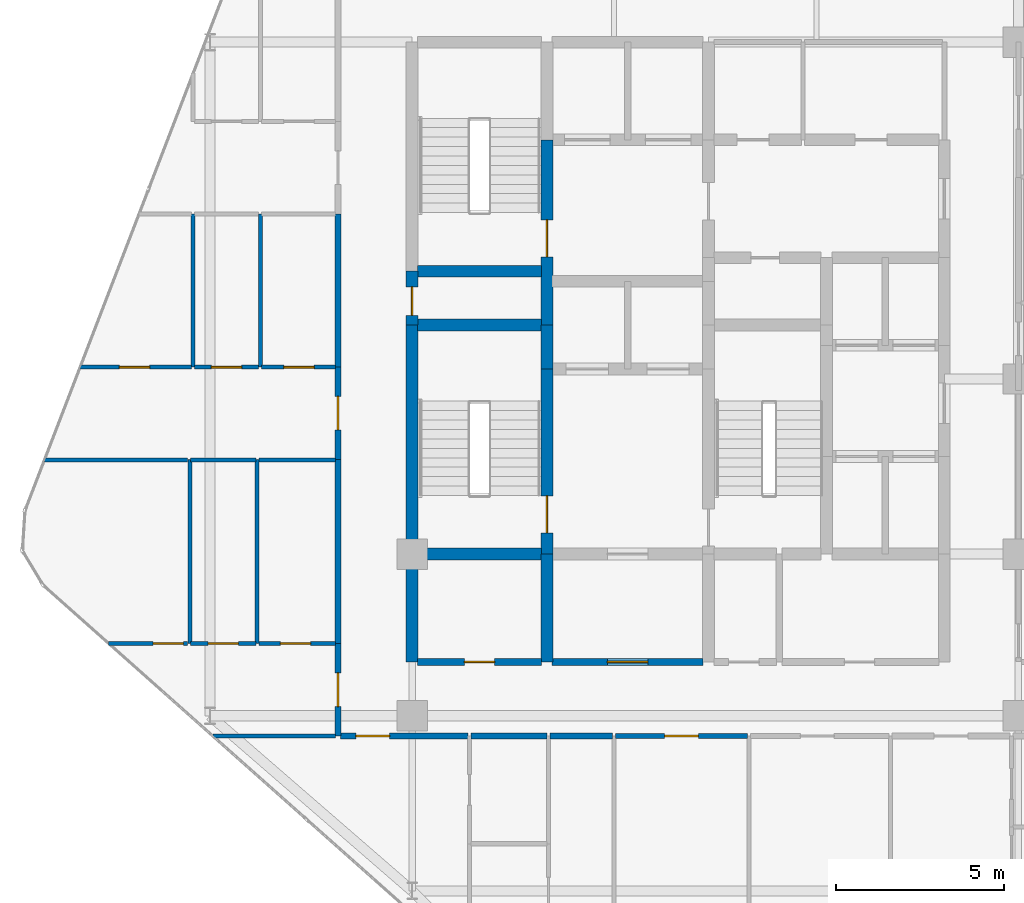
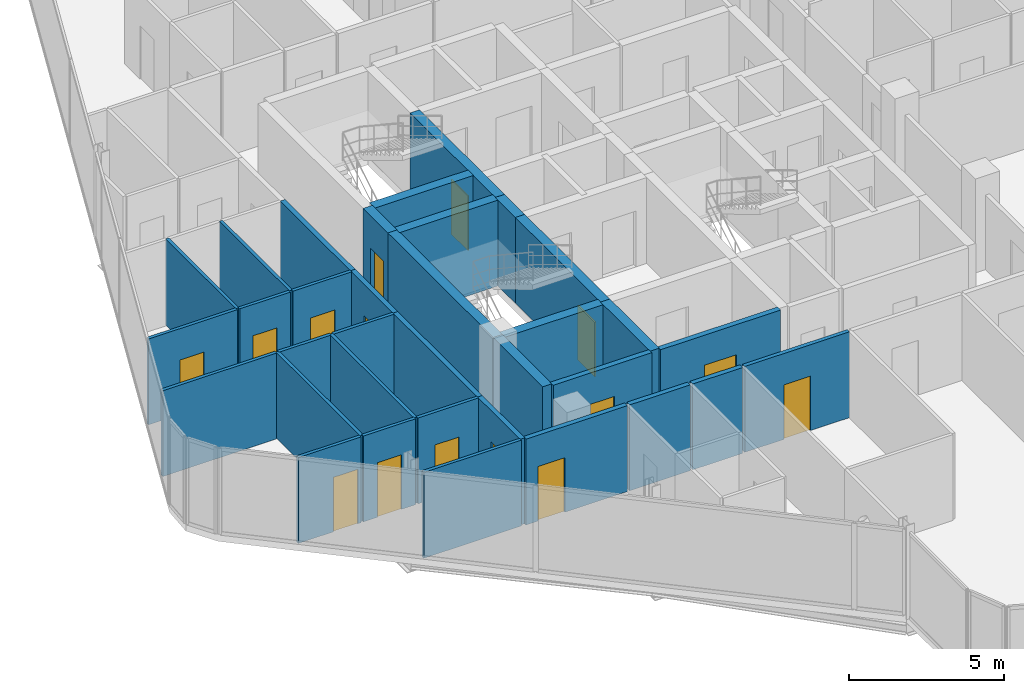
# One storey, part 25 of 32: 34 walls, 15 doors, 15 openings.
"""IFC4 building model written with IfcOpenShell, lengths in metres."""

from ifc_helpers import new_model, si_unit, direction, frame, frame_2d, origin, place, context, subcontext, project, spatial, rectangle, extrude, material, layer, layer_set, type_object, element, fill, save


model = new_model("IFC4")

# Units and contexts
model_context = context("Model", 3, precision=1e-05, world=origin(), true_north=direction((0.0, 1.0)))
body_context = subcontext(model_context, "Body", "Model", "MODEL_VIEW")
ifc_project = project(units=[si_unit("LENGTHUNIT", "METRE"), si_unit("AREAUNIT", "SQUARE_METRE"), si_unit("VOLUMEUNIT", "CUBIC_METRE"), si_unit("PLANEANGLEUNIT", "RADIAN"), si_unit("MASSUNIT", "GRAM", prefix="KILO")], contexts=[model_context])

# Site, building, storey
site_placement = place(None, origin())
site = spatial("IfcSite", under=ifc_project, at=site_placement, CompositionType="ELEMENT")
building_placement = place(site_placement, origin())
building = spatial("IfcBuilding", under=site, at=building_placement, Name="Keshet Zoharim Tower", CompositionType="ELEMENT")
storey_placement = place(building_placement, frame((0.0, 0.0, 152.0)))
storey = spatial("IfcBuildingStorey", under=building, at=storey_placement, Name="L37", CompositionType="ELEMENT", Elevation=152.0)

# Wall, opening, door
ifc_material_1 = material(Name="Gypsum Plasterboard", Category="gypsum")
ifc_layer_1 = layer(ifc_material_1, 0.14990234375)
ifc_layer_set_1 = layer_set([ifc_layer_1], Name="Gypsum Plasterboard")
wall_type_1 = type_object("IfcWallType", Name="WL-CLIN-150", PredefinedType="STANDARD", material=ifc_layer_set_1)
wall_1_placement = place(storey_placement, frame((21.044921875, 17.300048828125, 0.0), z_axis=(0.0, 0.0, 1.0), x_axis=(1.0, 0.0, 0.0)))
wall_1 = element("IfcWall", 1, at=wall_1_placement, inside=storey, type_object=wall_type_1, Name="L37 Interior Wall 133", PredefinedType="STANDARD", context=body_context, shape_type="SweptSolid", body=[
    extrude(rectangle(XDim=3.91015625, YDim=0.14990234375, at=frame_2d((1.955078125, 0.0))), origin(), (0.0, 0.0, 1.0), 3.385009765625),
])
opening_1_placement = place(wall_1_placement, frame((1.455078125, 0.0, 0.0)))
opening_1 = element("IfcOpeningElement", 2, at=opening_1_placement, cuts=wall_1, Name="Opening D-F310", PredefinedType="OPENING", context=body_context, shape_type="SweptSolid", body=[
    extrude(rectangle(XDim=1.0, YDim=2.14990234375, at=frame_2d((0.5, 1.074951171875))), frame((0.0, 0.0849609375, 0.0), z_axis=(0.0, -1.0, 0.0), x_axis=(1.0, 0.0, 0.0)), (0.0, 0.0, 1.0), 0.169921875),
])
ifc_material_2 = material(Name="Hardwood Timber", Category="wood")
door_type_1 = type_object("IfcDoorType", Name="DR-FD30-100", OperationType="NOTDEFINED", PredefinedType="DOOR", material=ifc_material_2)
door_1_placement = place(opening_1_placement, origin())
door_1 = element("IfcDoor", 3, at=door_1_placement, inside=storey, type_object=door_type_1, Name="L37 Shared Floor Laundry Room Door", OperationType="SINGLE_SWING_LEFT", OverallHeight=2.14990234375, OverallWidth=1.0, PredefinedType="DOOR", context=body_context, shape_type="SweptSolid", body=[
    extrude(rectangle(XDim=1.0, YDim=2.14990234375, at=frame_2d((0.5, 1.074951171875))), frame((0.0, 0.02490234375, 0.0), z_axis=(0.0, -1.0, 0.0), x_axis=(1.0, 0.0, 0.0)), (0.0, 0.0, 1.0), 0.050048828125),
])
fill(opening_1, door_1)

# Walls
ifc_material_3 = material(Name="Concrete C60/75", Category="concrete")
ifc_layer_2 = layer(ifc_material_3, 0.35009765625)
ifc_layer_set_2 = layer_set([ifc_layer_2], Name="Concrete C60/75")
wall_type_2 = type_object("IfcWallType", Name="WL-CORE-350", PredefinedType="SHEAR", material=ifc_layer_set_2)
wall_2_placement = place(storey_placement, frame((15.0, 19.5, 0.0), z_axis=(0.0, 0.0, 1.0), x_axis=(0.0, 1.0, 0.0)))
element("IfcWall", 4, at=wall_2_placement, inside=storey, type_object=wall_type_2, Name="L37 Core Shear Wall 015", PredefinedType="SHEAR", context=body_context, shape_type="SweptSolid", body=[
    extrude(rectangle(XDim=3.199951171875, YDim=0.35009765625, at=frame_2d((1.60009765625, 0.0))), origin(), (0.0, 0.0, 1.0), 3.385009765625),
])
wall_3_placement = place(storey_placement, frame((15.0, 22.699951171875, 0.0), z_axis=(0.0, 0.0, 1.0), x_axis=(0.0, 1.0, 0.0)))
element("IfcWall", 5, at=wall_3_placement, inside=storey, type_object=wall_type_2, Name="L37 Core Shear Wall 016", PredefinedType="SHEAR", context=body_context, shape_type="SweptSolid", body=[
    extrude(rectangle(XDim=6.800048828125, YDim=0.35009765625, at=frame_2d((3.39990234375, 0.0))), origin(), (0.0, 0.0, 1.0), 3.385009765625),
])

# Wall, opening, door
wall_4_placement = place(storey_placement, frame((15.0, 29.5, 0.0), z_axis=(0.0, 0.0, 1.0), x_axis=(0.0, 1.0, 0.0)))
wall_4 = element("IfcWall", 6, at=wall_4_placement, inside=storey, type_object=wall_type_2, Name="L37 Core Shear Wall 017", PredefinedType="SHEAR", context=body_context, shape_type="SweptSolid", body=[
    extrude(rectangle(XDim=1.60009765625, YDim=0.35009765625, at=frame_2d((0.800048828125, 0.0))), origin(), (0.0, 0.0, 1.0), 3.385009765625),
])
opening_2_placement = place(wall_4_placement, frame((0.287109375, 0.0, 0.0)))
opening_2 = element("IfcOpeningElement", 7, at=opening_2_placement, cuts=wall_4, Name="Opening D-RS85", PredefinedType="OPENING", context=body_context, shape_type="SweptSolid", body=[
    extrude(rectangle(XDim=0.85009765625, YDim=2.10009765625, at=frame_2d((0.425048828125, 1.050048828125))), frame((0.0, 0.18505859375, 0.0), z_axis=(0.0, -1.0, 0.0), x_axis=(1.0, 0.0, 0.0)), (0.0, 0.0, 1.0), 0.3701171875),
])
door_type_2 = type_object("IfcDoorType", Name="DR-RIS-085", OperationType="NOTDEFINED", PredefinedType="DOOR", material=ifc_material_2)
door_2_placement = place(opening_2_placement, origin())
door_2 = element("IfcDoor", 8, at=door_2_placement, inside=storey, type_object=door_type_2, Name="L37 Electrical Riser Access Cupboard Door", OperationType="SINGLE_SWING_RIGHT", OverallHeight=2.10009765625, OverallWidth=0.85009765625, PredefinedType="DOOR", context=body_context, shape_type="SweptSolid", body=[
    extrude(rectangle(XDim=0.85009765625, YDim=2.10009765625, at=frame_2d((0.425048828125, 1.050048828125))), frame((0.0, 0.02490234375, 0.0), z_axis=(0.0, -1.0, 0.0), x_axis=(1.0, 0.0, 0.0)), (0.0, 0.0, 1.0), 0.050048828125),
])
fill(opening_2, door_2)

# Wall
wall_5_placement = place(storey_placement, frame((19.0, 19.5, 0.0), z_axis=(0.0, 0.0, 1.0), x_axis=(0.0, 1.0, 0.0)))
element("IfcWall", 9, at=wall_5_placement, inside=storey, type_object=wall_type_2, Name="L37 Core Shear Wall 023", PredefinedType="SHEAR", context=body_context, shape_type="SweptSolid", body=[
    extrude(rectangle(XDim=3.199951171875, YDim=0.35009765625, at=frame_2d((1.60009765625, 0.0))), origin(), (0.0, 0.0, 1.0), 3.385009765625),
])

# Wall, opening, door
wall_6_placement = place(storey_placement, frame((19.0, 22.699951171875, 0.0), z_axis=(0.0, 0.0, 1.0), x_axis=(0.0, 1.0, 0.0)))
wall_6 = element("IfcWall", 10, at=wall_6_placement, inside=storey, type_object=wall_type_2, Name="L37 Core Shear Wall 024", PredefinedType="SHEAR", context=body_context, shape_type="SweptSolid", body=[
    extrude(rectangle(XDim=5.5, YDim=0.35009765625, at=frame_2d((2.75, 0.0))), origin(), (0.0, 0.0, 1.0), 3.385009765625),
])
opening_3_placement = place(wall_6_placement, frame((0.631103515625, 0.0, 0.0)))
opening_3 = element("IfcOpeningElement", 11, at=opening_3_placement, cuts=wall_6, Name="Opening D-F611", PredefinedType="OPENING", context=body_context, shape_type="SweptSolid", body=[
    extrude(rectangle(XDim=1.10009765625, YDim=2.14990234375, at=frame_2d((0.550048828125, 1.074951171875))), frame((0.0, 0.18505859375, 0.0), z_axis=(0.0, -1.0, 0.0), x_axis=(1.0, 0.0, 0.0)), (0.0, 0.0, 1.0), 0.3701171875),
])
door_type_3 = type_object("IfcDoorType", Name="DR-FD60-110", OperationType="NOTDEFINED", PredefinedType="DOOR", material=ifc_material_2)
door_3_placement = place(opening_3_placement, origin())
door_3 = element("IfcDoor", 12, at=door_3_placement, inside=storey, type_object=door_type_3, Name="L37 Exit Stair ST-01 Fire Door", OperationType="SINGLE_SWING_RIGHT", OverallHeight=2.14990234375, OverallWidth=1.10009765625, PredefinedType="DOOR", context=body_context, shape_type="SweptSolid", body=[
    extrude(rectangle(XDim=1.10009765625, YDim=2.14990234375, at=frame_2d((0.550048828125, 1.074951171875))), frame((0.0, 0.02490234375, 0.0), z_axis=(0.0, -1.0, 0.0), x_axis=(1.0, 0.0, 0.0)), (0.0, 0.0, 1.0), 0.050048828125),
])
fill(opening_3, door_3)

# Wall
wall_7_placement = place(storey_placement, frame((19.0, 28.199951171875, 0.0), z_axis=(0.0, 0.0, 1.0), x_axis=(0.0, 1.0, 0.0)))
element("IfcWall", 13, at=wall_7_placement, inside=storey, type_object=wall_type_2, Name="L37 Core Shear Wall 025", PredefinedType="SHEAR", context=body_context, shape_type="SweptSolid", body=[
    extrude(rectangle(XDim=1.300048828125, YDim=0.35009765625, at=frame_2d((0.64990234375, 0.0))), origin(), (0.0, 0.0, 1.0), 3.385009765625),
])

# Wall, opening, door
wall_8_placement = place(storey_placement, frame((19.0, 29.5, 0.0), z_axis=(0.0, 0.0, 1.0), x_axis=(0.0, 1.0, 0.0)))
wall_8 = element("IfcWall", 14, at=wall_8_placement, inside=storey, type_object=wall_type_2, Name="L37 Core Shear Wall 026", PredefinedType="SHEAR", context=body_context, shape_type="SweptSolid", body=[
    extrude(rectangle(XDim=5.5, YDim=0.35009765625, at=frame_2d((2.75, 0.0))), origin(), (0.0, 0.0, 1.0), 3.385009765625),
])
opening_4_placement = place(wall_8_placement, frame((2.02490234375, 0.0, 0.0)))
opening_4 = element("IfcOpeningElement", 15, at=opening_4_placement, cuts=wall_8, Name="Opening D-F611", PredefinedType="OPENING", context=body_context, shape_type="SweptSolid", body=[
    extrude(rectangle(XDim=1.10009765625, YDim=2.14990234375, at=frame_2d((0.550048828125, 1.074951171875))), frame((0.0, 0.18505859375, 0.0), z_axis=(0.0, -1.0, 0.0), x_axis=(1.0, 0.0, 0.0)), (0.0, 0.0, 1.0), 0.3701171875),
])
door_4_placement = place(opening_4_placement, origin())
door_4 = element("IfcDoor", 16, at=door_4_placement, inside=storey, type_object=door_type_3, Name="L37 Exit Stair ST-02 Fire Door", OperationType="SINGLE_SWING_LEFT", OverallHeight=2.14990234375, OverallWidth=1.10009765625, PredefinedType="DOOR", context=body_context, shape_type="SweptSolid", body=[
    extrude(rectangle(XDim=1.10009765625, YDim=2.14990234375, at=frame_2d((0.550048828125, 1.074951171875))), frame((0.0, 0.02490234375, 0.0), z_axis=(0.0, -1.0, 0.0), x_axis=(1.0, 0.0, 0.0)), (0.0, 0.0, 1.0), 0.050048828125),
])
fill(opening_4, door_4)

# Walls
for number, where, z_axis, x_axis, name in (
    (17, (15.159912109375, 22.699951171875, 0.0), (0.0, 0.0, 1.0), (1.0, 0.0, 0.0), "L37 Core Shear Wall 152"),
    (18, (15.159912109375, 29.5, 0.0), (0.0, 0.0, 1.0), (1.0, 0.0, 0.0), "L37 Core Shear Wall 167"),
    (19, (15.159912109375, 31.10009765625, 0.0), (0.0, 0.0, 1.0), (1.0, 0.0, 0.0), "L37 Core Shear Wall 173"),
):
    element("IfcWall", number, at=place(storey_placement, frame(where, z_axis=z_axis, x_axis=x_axis)), inside=storey, type_object=wall_type_2, Name=name, PredefinedType="SHEAR", context=body_context, shape_type="SweptSolid", body=[
        extrude(rectangle(XDim=3.68017578125, YDim=0.35009765625, at=frame_2d((1.840087890625, 0.0))), origin(), (0.0, 0.0, 1.0), 3.385009765625),
    ])

# Wall, opening, door
ifc_layer_3 = layer(ifc_material_1, 0.179931640625)
ifc_layer_set_3 = layer_set([ifc_layer_3], Name="Gypsum Plasterboard")
wall_type_3 = type_object("IfcWallType", Name="WL-CORR-180", PredefinedType="STANDARD", material=ifc_layer_set_3)
wall_9_placement = place(storey_placement, frame((12.800048828125, 17.300048828125, 0.0), z_axis=(0.0, 0.0, 1.0), x_axis=(0.0, 1.0, 0.0)))
wall_9 = element("IfcWall", 20, at=wall_9_placement, inside=storey, type_object=wall_type_3, Name="L37 Interior Wall 007", PredefinedType="STANDARD", context=body_context, shape_type="SweptSolid", body=[
    extrude(rectangle(XDim=2.75, YDim=0.179931640625, at=frame_2d((1.375, 0.0))), origin(), (0.0, 0.0, 1.0), 3.385009765625),
])
opening_5_placement = place(wall_9_placement, frame((0.875, 0.0, 0.0)))
opening_5 = element("IfcOpeningElement", 21, at=opening_5_placement, cuts=wall_9, Name="Opening D-F310", PredefinedType="OPENING", context=body_context, shape_type="SweptSolid", body=[
    extrude(rectangle(XDim=1.0, YDim=2.14990234375, at=frame_2d((0.5, 1.074951171875))), frame((0.0, 0.10009765625, 0.0), z_axis=(0.0, -1.0, 0.0), x_axis=(1.0, 0.0, 0.0)), (0.0, 0.0, 1.0), 0.199951171875),
])
door_5_placement = place(opening_5_placement, origin())
door_5 = element("IfcDoor", 22, at=door_5_placement, inside=storey, type_object=door_type_1, Name="Apartment 3710 Entrance Door", OperationType="SINGLE_SWING_LEFT", OverallHeight=2.14990234375, OverallWidth=1.0, PredefinedType="DOOR", context=body_context, shape_type="SweptSolid", body=[
    extrude(rectangle(XDim=1.0, YDim=2.14990234375, at=frame_2d((0.5, 1.074951171875))), frame((0.0, 0.02490234375, 0.0), z_axis=(0.0, -1.0, 0.0), x_axis=(1.0, 0.0, 0.0)), (0.0, 0.0, 1.0), 0.050048828125),
])
fill(opening_5, door_5)

# Wall
wall_10_placement = place(storey_placement, frame((12.800048828125, 20.050048828125, 0.0), z_axis=(0.0, 0.0, 1.0), x_axis=(0.0, 1.0, 0.0)))
element("IfcWall", 23, at=wall_10_placement, inside=storey, type_object=wall_type_3, Name="L37 Interior Wall 008", PredefinedType="STANDARD", context=body_context, shape_type="SweptSolid", body=[
    extrude(rectangle(XDim=5.4599609375, YDim=0.179931640625, at=frame_2d((2.72998046875, 0.0))), origin(), (0.0, 0.0, 1.0), 3.385009765625),
])

# Wall, opening, door
wall_11_placement = place(storey_placement, frame((12.800048828125, 25.510009765625, 0.0), z_axis=(0.0, 0.0, 1.0), x_axis=(0.0, 1.0, 0.0)))
wall_11 = element("IfcWall", 24, at=wall_11_placement, inside=storey, type_object=wall_type_3, Name="L37 Interior Wall 009", PredefinedType="STANDARD", context=body_context, shape_type="SweptSolid", body=[
    extrude(rectangle(XDim=2.75, YDim=0.179931640625, at=frame_2d((1.375, 0.0))), origin(), (0.0, 0.0, 1.0), 3.385009765625),
])
opening_6_placement = place(wall_11_placement, frame((0.875, 0.0, 0.0)))
opening_6 = element("IfcOpeningElement", 25, at=opening_6_placement, cuts=wall_11, Name="Opening D-F310", PredefinedType="OPENING", context=body_context, shape_type="SweptSolid", body=[
    extrude(rectangle(XDim=1.0, YDim=2.14990234375, at=frame_2d((0.5, 1.074951171875))), frame((0.0, 0.10009765625, 0.0), z_axis=(0.0, -1.0, 0.0), x_axis=(1.0, 0.0, 0.0)), (0.0, 0.0, 1.0), 0.199951171875),
])
door_6_placement = place(opening_6_placement, origin())
door_6 = element("IfcDoor", 26, at=door_6_placement, inside=storey, type_object=door_type_1, Name="Apartment 3711 Entrance Door", OperationType="SINGLE_SWING_RIGHT", OverallHeight=2.14990234375, OverallWidth=1.0, PredefinedType="DOOR", context=body_context, shape_type="SweptSolid", body=[
    extrude(rectangle(XDim=1.0, YDim=2.14990234375, at=frame_2d((0.5, 1.074951171875))), frame((0.0, 0.02490234375, 0.0), z_axis=(0.0, -1.0, 0.0), x_axis=(1.0, 0.0, 0.0)), (0.0, 0.0, 1.0), 0.050048828125),
])
fill(opening_6, door_6)

# Wall
wall_12_placement = place(storey_placement, frame((12.800048828125, 28.260009765625, 0.0), z_axis=(0.0, 0.0, 1.0), x_axis=(0.0, 1.0, 0.0)))
element("IfcWall", 27, at=wall_12_placement, inside=storey, type_object=wall_type_3, Name="L37 Interior Wall 010", PredefinedType="STANDARD", context=body_context, shape_type="SweptSolid", body=[
    extrude(rectangle(XDim=4.5400390625, YDim=0.179931640625, at=frame_2d((2.27001953125, 0.0))), origin(), (0.0, 0.0, 1.0), 3.385009765625),
])

# Wall, opening, door
wall_13_placement = place(storey_placement, frame((12.875, 17.300048828125, 0.0), z_axis=(0.0, 0.0, 1.0), x_axis=(1.0, 0.0, 0.0)))
wall_13 = element("IfcWall", 28, at=wall_13_placement, inside=storey, type_object=wall_type_3, Name="L37 Interior Wall 130", PredefinedType="STANDARD", context=body_context, shape_type="SweptSolid", body=[
    extrude(rectangle(XDim=3.780029296875, YDim=0.179931640625, at=frame_2d((1.89013671875, 0.0))), origin(), (0.0, 0.0, 1.0), 3.385009765625),
])
opening_7_placement = place(wall_13_placement, frame((0.4580078125, 0.0, 0.0)))
opening_7 = element("IfcOpeningElement", 29, at=opening_7_placement, cuts=wall_13, Name="Opening D-F310", PredefinedType="OPENING", context=body_context, shape_type="SweptSolid", body=[
    extrude(rectangle(XDim=1.0, YDim=2.14990234375, at=frame_2d((0.5, 1.074951171875))), frame((0.0, 0.10009765625, 0.0), z_axis=(0.0, -1.0, 0.0), x_axis=(1.0, 0.0, 0.0)), (0.0, 0.0, 1.0), 0.199951171875),
])
door_7_placement = place(opening_7_placement, origin())
door_7 = element("IfcDoor", 30, at=door_7_placement, inside=storey, type_object=door_type_1, Name="Apartment 3701 Entrance Door", OperationType="SINGLE_SWING_RIGHT", OverallHeight=2.14990234375, OverallWidth=1.0, PredefinedType="DOOR", context=body_context, shape_type="SweptSolid", body=[
    extrude(rectangle(XDim=1.0, YDim=2.14990234375, at=frame_2d((0.5, 1.074951171875))), frame((0.0, 0.02490234375, 0.0), z_axis=(0.0, -1.0, 0.0), x_axis=(1.0, 0.0, 0.0)), (0.0, 0.0, 1.0), 0.050048828125),
])
fill(opening_7, door_7)

# Walls
wall_14_placement = place(storey_placement, frame((16.7451171875, 17.300048828125, 0.0), z_axis=(0.0, 0.0, 1.0), x_axis=(1.0, 0.0, 0.0)))
element("IfcWall", 31, at=wall_14_placement, inside=storey, type_object=wall_type_3, Name="L37 Interior Wall 131", PredefinedType="STANDARD", context=body_context, shape_type="SweptSolid", body=[
    extrude(rectangle(XDim=2.259765625, YDim=0.179931640625, at=frame_2d((1.1298828125, 0.0))), origin(), (0.0, 0.0, 1.0), 3.385009765625),
])
wall_15_placement = place(storey_placement, frame((19.094970703125, 17.300048828125, 0.0), z_axis=(0.0, 0.0, 1.0), x_axis=(1.0, 0.0, 0.0)))
element("IfcWall", 32, at=wall_15_placement, inside=storey, type_object=wall_type_3, Name="L37 Interior Wall 132", PredefinedType="STANDARD", context=body_context, shape_type="SweptSolid", body=[
    extrude(rectangle(XDim=1.860107421875, YDim=0.179931640625, at=frame_2d((0.93017578125, 0.0))), origin(), (0.0, 0.0, 1.0), 3.385009765625),
])

# Wall, opening, door
ifc_material_4 = material(Name="Concrete C50/60", Category="concrete")
ifc_layer_4 = layer(ifc_material_4, 0.199951171875)
ifc_layer_set_4 = layer_set([ifc_layer_4], Name="Concrete C50/60")
wall_type_4 = type_object("IfcWallType", Name="WL-FIRE-200", PredefinedType="STANDARD", material=ifc_layer_set_4)
wall_16_placement = place(storey_placement, frame((15.159912109375, 19.5, 0.0), z_axis=(0.0, 0.0, 1.0), x_axis=(1.0, 0.0, 0.0)))
wall_16 = element("IfcWall", 33, at=wall_16_placement, inside=storey, type_object=wall_type_4, Name="L37 Interior Wall 144", PredefinedType="STANDARD", context=body_context, shape_type="SweptSolid", body=[
    extrude(rectangle(XDim=3.68017578125, YDim=0.199951171875, at=frame_2d((1.840087890625, 0.0))), origin(), (0.0, 0.0, 1.0), 3.385009765625),
])
opening_8_placement = place(wall_16_placement, frame((1.389892578125, 0.0, 0.0)))
opening_8 = element("IfcOpeningElement", 34, at=opening_8_placement, cuts=wall_16, Name="Opening D-F690", PredefinedType="OPENING", context=body_context, shape_type="SweptSolid", body=[
    extrude(rectangle(XDim=0.89990234375, YDim=2.14990234375, at=frame_2d((0.449951171875, 1.074951171875))), frame((0.0, 0.10986328125, 0.0), z_axis=(0.0, -1.0, 0.0), x_axis=(1.0, 0.0, 0.0)), (0.0, 0.0, 1.0), 0.219970703125),
])
door_type_4 = type_object("IfcDoorType", Name="DR-FD60-090", OperationType="NOTDEFINED", PredefinedType="DOOR", material=ifc_material_2)
door_8_placement = place(opening_8_placement, origin())
door_8 = element("IfcDoor", 35, at=door_8_placement, inside=storey, type_object=door_type_4, Name="L37 Refuse Room Door", OperationType="SINGLE_SWING_LEFT", OverallHeight=2.14990234375, OverallWidth=0.89990234375, PredefinedType="DOOR", context=body_context, shape_type="SweptSolid", body=[
    extrude(rectangle(XDim=0.89990234375, YDim=2.14990234375, at=frame_2d((0.449951171875, 1.074951171875))), frame((0.0, 0.02490234375, 0.0), z_axis=(0.0, -1.0, 0.0), x_axis=(1.0, 0.0, 0.0)), (0.0, 0.0, 1.0), 0.050048828125),
])
fill(opening_8, door_8)

wall_17_placement = place(storey_placement, frame((19.159912109375, 19.5, 0.0), z_axis=(0.0, 0.0, 1.0), x_axis=(1.0, 0.0, 0.0)))
wall_17 = element("IfcWall", 36, at=wall_17_placement, inside=storey, type_object=wall_type_4, Name="L37 Interior Wall 145", PredefinedType="STANDARD", context=body_context, shape_type="SweptSolid", body=[
    extrude(rectangle(XDim=4.47998046875, YDim=0.199951171875, at=frame_2d((2.239990234375, 0.0))), origin(), (0.0, 0.0, 1.0), 3.385009765625),
])
opening_9_placement = place(wall_17_placement, frame((1.639892578125, 0.0, 0.0)))
opening_9 = element("IfcOpeningElement", 37, at=opening_9_placement, cuts=wall_17, Name="Opening D-F612", PredefinedType="OPENING", context=body_context, shape_type="SweptSolid", body=[
    extrude(rectangle(XDim=1.199951171875, YDim=2.199951171875, at=frame_2d((0.60009765625, 1.10009765625))), frame((0.0, 0.10986328125, 0.0), z_axis=(0.0, -1.0, 0.0), x_axis=(1.0, 0.0, 0.0)), (0.0, 0.0, 1.0), 0.219970703125),
])
door_type_5 = type_object("IfcDoorType", Name="DR-FD60-120", OperationType="NOTDEFINED", PredefinedType="DOOR", material=ifc_material_2)
door_9_placement = place(opening_9_placement, origin())
door_9 = element("IfcDoor", 38, at=door_9_placement, inside=storey, type_object=door_type_5, Name="L37 South Vestibule Corridor Door", OperationType="SINGLE_SWING_RIGHT", OverallHeight=2.199951171875, OverallWidth=1.199951171875, PredefinedType="DOOR", context=body_context, shape_type="SweptSolid", body=[
    extrude(rectangle(XDim=1.199951171875, YDim=2.199951171875, at=frame_2d((0.60009765625, 1.10009765625))), frame((0.0, 0.02490234375, 0.0), z_axis=(0.0, -1.0, 0.0), x_axis=(1.0, 0.0, 0.0)), (0.0, 0.0, 1.0), 0.050048828125),
])
fill(opening_9, door_9)

# Walls
ifc_layer_5 = layer(ifc_material_1, 0.1201171875)
ifc_layer_set_5 = layer_set([ifc_layer_5], Name="Gypsum Plasterboard")
wall_type_5 = type_object("IfcWallType", Name="WL-PART-120", PredefinedType="PARTITIONING", material=ifc_layer_set_5)
wall_18_placement = place(storey_placement, frame((8.39990234375, 20.050048828125, 0.0), z_axis=(0.0, 0.0, 1.0), x_axis=(0.0, 1.0, 0.0)))
element("IfcWall", 39, at=wall_18_placement, inside=storey, type_object=wall_type_5, Name="L37 Interior Wall 001", PredefinedType="PARTITIONING", context=body_context, shape_type="SweptSolid", body=[
    extrude(rectangle(XDim=5.4599609375, YDim=0.1201171875, at=frame_2d((2.72998046875, 0.0))), origin(), (0.0, 0.0, 1.0), 3.385009765625),
])
wall_19_placement = place(storey_placement, frame((8.5, 28.260009765625, 0.0), z_axis=(0.0, 0.0, 1.0), x_axis=(0.0, 1.0, 0.0)))
element("IfcWall", 40, at=wall_19_placement, inside=storey, type_object=wall_type_5, Name="L37 Interior Wall 002", PredefinedType="PARTITIONING", context=body_context, shape_type="SweptSolid", body=[
    extrude(rectangle(XDim=4.5400390625, YDim=0.1201171875, at=frame_2d((2.27001953125, 0.0))), origin(), (0.0, 0.0, 1.0), 3.385009765625),
])
wall_20_placement = place(storey_placement, frame((9.0849609375, 17.300048828125, 0.0), z_axis=(0.0, 0.0, 1.0), x_axis=(1.0, 0.0, 0.0)))
element("IfcWall", 41, at=wall_20_placement, inside=storey, type_object=wall_type_5, Name="L37 Interior Wall 129", PredefinedType="PARTITIONING", context=body_context, shape_type="SweptSolid", body=[
    extrude(rectangle(XDim=3.64013671875, YDim=0.1201171875, at=frame_2d((1.820068359375, 0.0))), origin(), (0.0, 0.0, 1.0), 3.385009765625),
])

# Wall, opening, door
wall_21_placement = place(storey_placement, frame((5.990966796875, 20.050048828125, 0.0), z_axis=(0.0, 0.0, 1.0), x_axis=(1.0, 0.0, 0.0)))
wall_21 = element("IfcWall", 42, at=wall_21_placement, inside=storey, type_object=wall_type_5, Name="L37 Interior Wall 149", PredefinedType="PARTITIONING", context=body_context, shape_type="SweptSolid", body=[
    extrude(rectangle(XDim=2.340087890625, YDim=0.1201171875, at=frame_2d((1.169921875, 0.0))), origin(), (0.0, 0.0, 1.0), 3.385009765625),
])
opening_10_placement = place(wall_21_placement, frame((1.320068359375, 0.0, 0.0)))
opening_10 = element("IfcOpeningElement", 43, at=opening_10_placement, cuts=wall_21, Name="Opening D-IN90", PredefinedType="OPENING", context=body_context, shape_type="SweptSolid", body=[
    extrude(rectangle(XDim=0.89990234375, YDim=2.14990234375, at=frame_2d((0.449951171875, 1.074951171875))), frame((0.0, 0.070068359375, 0.0), z_axis=(0.0, -1.0, 0.0), x_axis=(1.0, 0.0, 0.0)), (0.0, 0.0, 1.0), 0.14013671875),
])
door_type_6 = type_object("IfcDoorType", Name="DR-INT-090", OperationType="NOTDEFINED", PredefinedType="DOOR", material=ifc_material_2)
door_10_placement = place(opening_10_placement, origin())
door_10 = element("IfcDoor", 44, at=door_10_placement, inside=storey, type_object=door_type_6, Name="Apartment 3710 Bedroom 1 Door", OperationType="SINGLE_SWING_RIGHT", OverallHeight=2.14990234375, OverallWidth=0.89990234375, PredefinedType="DOOR", context=body_context, shape_type="SweptSolid", body=[
    extrude(rectangle(XDim=0.89990234375, YDim=2.14990234375, at=frame_2d((0.449951171875, 1.074951171875))), frame((0.0, 0.02490234375, 0.0), z_axis=(0.0, -1.0, 0.0), x_axis=(1.0, 0.0, 0.0)), (0.0, 0.0, 1.0), 0.050048828125),
])
fill(opening_10, door_10)

wall_22_placement = place(storey_placement, frame((8.4208984375, 20.050048828125, 0.0), z_axis=(0.0, 0.0, 1.0), x_axis=(1.0, 0.0, 0.0)))
wall_22 = element("IfcWall", 45, at=wall_22_placement, inside=storey, type_object=wall_type_5, Name="L37 Interior Wall 150", PredefinedType="PARTITIONING", context=body_context, shape_type="SweptSolid", body=[
    extrude(rectangle(XDim=1.945068359375, YDim=0.1201171875, at=frame_2d((0.97265625, 0.0))), origin(), (0.0, 0.0, 1.0), 3.385009765625),
])
opening_11_placement = place(wall_22_placement, frame((0.52197265625, 0.0, 0.0)))
opening_11 = element("IfcOpeningElement", 46, at=opening_11_placement, cuts=wall_22, Name="Opening D-IN90", PredefinedType="OPENING", context=body_context, shape_type="SweptSolid", body=[
    extrude(rectangle(XDim=0.89990234375, YDim=2.14990234375, at=frame_2d((0.449951171875, 1.074951171875))), frame((0.0, 0.070068359375, 0.0), z_axis=(0.0, -1.0, 0.0), x_axis=(1.0, 0.0, 0.0)), (0.0, 0.0, 1.0), 0.14013671875),
])
door_11_placement = place(opening_11_placement, origin())
door_11 = element("IfcDoor", 47, at=door_11_placement, inside=storey, type_object=door_type_6, Name="Apartment 3710 Kitchen Door", OperationType="SINGLE_SWING_LEFT", OverallHeight=2.14990234375, OverallWidth=0.89990234375, PredefinedType="DOOR", context=body_context, shape_type="SweptSolid", body=[
    extrude(rectangle(XDim=0.89990234375, YDim=2.14990234375, at=frame_2d((0.449951171875, 1.074951171875))), frame((0.0, 0.02490234375, 0.0), z_axis=(0.0, -1.0, 0.0), x_axis=(1.0, 0.0, 0.0)), (0.0, 0.0, 1.0), 0.050048828125),
])
fill(opening_11, door_11)

# Walls
wall_23_placement = place(storey_placement, frame((4.0869140625, 25.5, 0.0), z_axis=(0.0, 0.0, 1.0), x_axis=(1.0, 0.0, 0.0)))
element("IfcWall", 48, at=wall_23_placement, inside=storey, type_object=wall_type_5, Name="L37 Interior Wall 157", PredefinedType="PARTITIONING", context=body_context, shape_type="SweptSolid", body=[
    extrude(rectangle(XDim=4.244140625, YDim=0.1201171875, at=frame_2d((2.1220703125, 0.0))), origin(), (0.0, 0.0, 1.0), 3.385009765625),
])
wall_24_placement = place(storey_placement, frame((8.4208984375, 25.5, 0.0), z_axis=(0.0, 0.0, 1.0), x_axis=(1.0, 0.0, 0.0)))
element("IfcWall", 49, at=wall_24_placement, inside=storey, type_object=wall_type_5, Name="L37 Interior Wall 158", PredefinedType="PARTITIONING", context=body_context, shape_type="SweptSolid", body=[
    extrude(rectangle(XDim=1.945068359375, YDim=0.1201171875, at=frame_2d((0.97265625, 0.0))), origin(), (0.0, 0.0, 1.0), 3.385009765625),
])

# Wall, opening, door
wall_25_placement = place(storey_placement, frame((5.14404296875, 28.25, 0.0), z_axis=(0.0, 0.0, 1.0), x_axis=(1.0, 0.0, 0.0)))
wall_25 = element("IfcWall", 50, at=wall_25_placement, inside=storey, type_object=wall_type_5, Name="L37 Interior Wall 163", PredefinedType="PARTITIONING", context=body_context, shape_type="SweptSolid", body=[
    extrude(rectangle(XDim=3.31103515625, YDim=0.1201171875, at=frame_2d((1.655517578125, 0.0))), origin(), (0.0, 0.0, 1.0), 3.385009765625),
])
opening_12_placement = place(wall_25_placement, frame((1.162109375, 0.0, 0.0)))
opening_12 = element("IfcOpeningElement", 51, at=opening_12_placement, cuts=wall_25, Name="Opening D-IN90", PredefinedType="OPENING", context=body_context, shape_type="SweptSolid", body=[
    extrude(rectangle(XDim=0.89990234375, YDim=2.14990234375, at=frame_2d((0.449951171875, 1.074951171875))), frame((0.0, 0.070068359375, 0.0), z_axis=(0.0, -1.0, 0.0), x_axis=(1.0, 0.0, 0.0)), (0.0, 0.0, 1.0), 0.14013671875),
])
door_12_placement = place(opening_12_placement, origin())
door_12 = element("IfcDoor", 52, at=door_12_placement, inside=storey, type_object=door_type_6, Name="Apartment 3711 Bedroom 1 Door", OperationType="SINGLE_SWING_RIGHT", OverallHeight=2.14990234375, OverallWidth=0.89990234375, PredefinedType="DOOR", context=body_context, shape_type="SweptSolid", body=[
    extrude(rectangle(XDim=0.89990234375, YDim=2.14990234375, at=frame_2d((0.449951171875, 1.074951171875))), frame((0.0, 0.02490234375, 0.0), z_axis=(0.0, -1.0, 0.0), x_axis=(1.0, 0.0, 0.0)), (0.0, 0.0, 1.0), 0.050048828125),
])
fill(opening_12, door_12)

wall_26_placement = place(storey_placement, frame((8.544921875, 28.25, 0.0), z_axis=(0.0, 0.0, 1.0), x_axis=(1.0, 0.0, 0.0)))
wall_26 = element("IfcWall", 53, at=wall_26_placement, inside=storey, type_object=wall_type_5, Name="L37 Interior Wall 164", PredefinedType="PARTITIONING", context=body_context, shape_type="SweptSolid", body=[
    extrude(rectangle(XDim=1.88818359375, YDim=0.1201171875, at=frame_2d((0.944091796875, 0.0))), origin(), (0.0, 0.0, 1.0), 3.385009765625),
])
opening_13_placement = place(wall_26_placement, frame((0.493896484375, 0.0, 0.0)))
opening_13 = element("IfcOpeningElement", 54, at=opening_13_placement, cuts=wall_26, Name="Opening D-IN90", PredefinedType="OPENING", context=body_context, shape_type="SweptSolid", body=[
    extrude(rectangle(XDim=0.89990234375, YDim=2.14990234375, at=frame_2d((0.449951171875, 1.074951171875))), frame((0.0, 0.070068359375, 0.0), z_axis=(0.0, -1.0, 0.0), x_axis=(1.0, 0.0, 0.0)), (0.0, 0.0, 1.0), 0.14013671875),
])
door_13_placement = place(opening_13_placement, origin())
door_13 = element("IfcDoor", 55, at=door_13_placement, inside=storey, type_object=door_type_6, Name="Apartment 3711 Kitchen Door", OperationType="SINGLE_SWING_LEFT", OverallHeight=2.14990234375, OverallWidth=0.89990234375, PredefinedType="DOOR", context=body_context, shape_type="SweptSolid", body=[
    extrude(rectangle(XDim=0.89990234375, YDim=2.14990234375, at=frame_2d((0.449951171875, 1.074951171875))), frame((0.0, 0.02490234375, 0.0), z_axis=(0.0, -1.0, 0.0), x_axis=(1.0, 0.0, 0.0)), (0.0, 0.0, 1.0), 0.050048828125),
])
fill(opening_13, door_13)

# Walls
ifc_layer_6 = layer(ifc_material_1, 0.1201171875)
ifc_layer_set_6 = layer_set([ifc_layer_6], Name="Gypsum Plasterboard")
wall_type_6 = type_object("IfcWallType", Name="WL-WET-120", PredefinedType="PARTITIONING", material=ifc_layer_set_6)
wall_27_placement = place(storey_placement, frame((10.39990234375, 20.050048828125, 0.0), z_axis=(0.0, 0.0, 1.0), x_axis=(0.0, 1.0, 0.0)))
element("IfcWall", 56, at=wall_27_placement, inside=storey, type_object=wall_type_6, Name="L37 Interior Wall 004", PredefinedType="PARTITIONING", context=body_context, shape_type="SweptSolid", body=[
    extrude(rectangle(XDim=5.4599609375, YDim=0.1201171875, at=frame_2d((2.72998046875, 0.0))), origin(), (0.0, 0.0, 1.0), 3.385009765625),
])
wall_28_placement = place(storey_placement, frame((10.5, 28.260009765625, 0.0), z_axis=(0.0, 0.0, 1.0), x_axis=(0.0, 1.0, 0.0)))
element("IfcWall", 57, at=wall_28_placement, inside=storey, type_object=wall_type_6, Name="L37 Interior Wall 005", PredefinedType="PARTITIONING", context=body_context, shape_type="SweptSolid", body=[
    extrude(rectangle(XDim=4.5400390625, YDim=0.1201171875, at=frame_2d((2.27001953125, 0.0))), origin(), (0.0, 0.0, 1.0), 3.385009765625),
])

# Wall, opening, door
wall_29_placement = place(storey_placement, frame((10.4560546875, 20.050048828125, 0.0), z_axis=(0.0, 0.0, 1.0), x_axis=(1.0, 0.0, 0.0)))
wall_29 = element("IfcWall", 58, at=wall_29_placement, inside=storey, type_object=wall_type_6, Name="L37 Interior Wall 151", PredefinedType="PARTITIONING", context=body_context, shape_type="SweptSolid", body=[
    extrude(rectangle(XDim=2.26904296875, YDim=0.1201171875, at=frame_2d((1.134521484375, 0.0))), origin(), (0.0, 0.0, 1.0), 3.385009765625),
])
opening_14_placement = place(wall_29_placement, frame((0.62890625, 0.0, 0.0)))
opening_14 = element("IfcOpeningElement", 59, at=opening_14_placement, cuts=wall_29, Name="Opening D-WT90", PredefinedType="OPENING", context=body_context, shape_type="SweptSolid", body=[
    extrude(rectangle(XDim=0.89990234375, YDim=2.10009765625, at=frame_2d((0.449951171875, 1.050048828125))), frame((0.0, 0.070068359375, 0.0), z_axis=(0.0, -1.0, 0.0), x_axis=(1.0, 0.0, 0.0)), (0.0, 0.0, 1.0), 0.14013671875),
])
door_type_7 = type_object("IfcDoorType", Name="DR-WET-090", OperationType="NOTDEFINED", PredefinedType="DOOR", material=ifc_material_2)
door_14_placement = place(opening_14_placement, origin())
door_14 = element("IfcDoor", 60, at=door_14_placement, inside=storey, type_object=door_type_7, Name="Apartment 3710 Bathroom Door", OperationType="SINGLE_SWING_RIGHT", OverallHeight=2.10009765625, OverallWidth=0.89990234375, PredefinedType="DOOR", context=body_context, shape_type="SweptSolid", body=[
    extrude(rectangle(XDim=0.89990234375, YDim=2.10009765625, at=frame_2d((0.449951171875, 1.050048828125))), frame((0.0, 0.02490234375, 0.0), z_axis=(0.0, -1.0, 0.0), x_axis=(1.0, 0.0, 0.0)), (0.0, 0.0, 1.0), 0.050048828125),
])
fill(opening_14, door_14)

# Wall
wall_30_placement = place(storey_placement, frame((10.4560546875, 25.5, 0.0), z_axis=(0.0, 0.0, 1.0), x_axis=(1.0, 0.0, 0.0)))
element("IfcWall", 61, at=wall_30_placement, inside=storey, type_object=wall_type_6, Name="L37 Interior Wall 159", PredefinedType="PARTITIONING", context=body_context, shape_type="SweptSolid", body=[
    extrude(rectangle(XDim=2.26904296875, YDim=0.1201171875, at=frame_2d((1.134521484375, 0.0))), origin(), (0.0, 0.0, 1.0), 3.385009765625),
])

# Wall, opening, door
wall_31_placement = place(storey_placement, frame((10.52294921875, 28.25, 0.0), z_axis=(0.0, 0.0, 1.0), x_axis=(1.0, 0.0, 0.0)))
wall_31 = element("IfcWall", 62, at=wall_31_placement, inside=storey, type_object=wall_type_6, Name="L37 Interior Wall 165", PredefinedType="PARTITIONING", context=body_context, shape_type="SweptSolid", body=[
    extrude(rectangle(XDim=2.2021484375, YDim=0.1201171875, at=frame_2d((1.10107421875, 0.0))), origin(), (0.0, 0.0, 1.0), 3.385009765625),
])
opening_15_placement = place(wall_31_placement, frame((0.666015625, 0.0, 0.0)))
opening_15 = element("IfcOpeningElement", 63, at=opening_15_placement, cuts=wall_31, Name="Opening D-WT90", PredefinedType="OPENING", context=body_context, shape_type="SweptSolid", body=[
    extrude(rectangle(XDim=0.89990234375, YDim=2.10009765625, at=frame_2d((0.449951171875, 1.050048828125))), frame((0.0, 0.070068359375, 0.0), z_axis=(0.0, -1.0, 0.0), x_axis=(1.0, 0.0, 0.0)), (0.0, 0.0, 1.0), 0.14013671875),
])
door_15_placement = place(opening_15_placement, origin())
door_15 = element("IfcDoor", 64, at=door_15_placement, inside=storey, type_object=door_type_7, Name="Apartment 3711 Bathroom Door", OperationType="SINGLE_SWING_RIGHT", OverallHeight=2.10009765625, OverallWidth=0.89990234375, PredefinedType="DOOR", context=body_context, shape_type="SweptSolid", body=[
    extrude(rectangle(XDim=0.89990234375, YDim=2.10009765625, at=frame_2d((0.449951171875, 1.050048828125))), frame((0.0, 0.02490234375, 0.0), z_axis=(0.0, -1.0, 0.0), x_axis=(1.0, 0.0, 0.0)), (0.0, 0.0, 1.0), 0.050048828125),
])
fill(opening_15, door_15)

save(model, "model.ifc")
